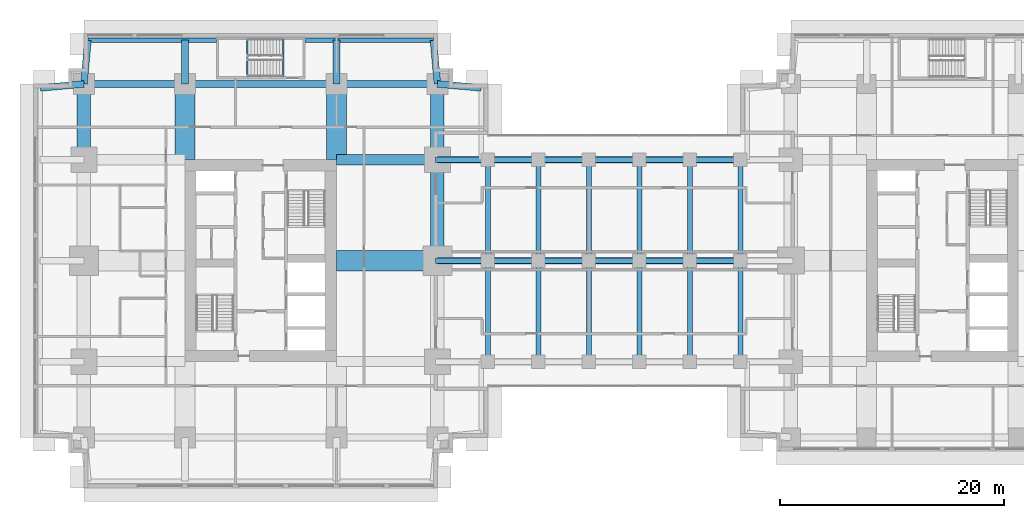
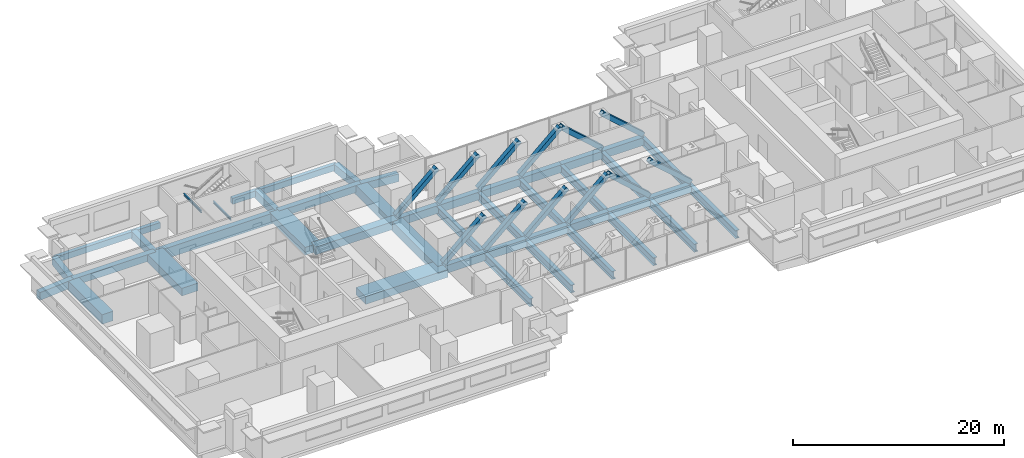
# One storey, part 3 of 16: 44 beams, 12 members.
"""IFC4 building model written with IfcOpenShell, lengths in metres."""

from ifc_helpers import new_model, si_unit, direction, frame, origin, origin_2d, place, context, subcontext, project, spatial, rectangle, hollow_rectangle, i_section, extrude, material, material_profile, profile_set, type_object, element, save


model = new_model("IFC4")

# Units and contexts
model_context = context("Model", 3, precision=1e-05, world=origin(), true_north=direction((0.0, 1.0)))
body_context = subcontext(model_context, "Body", "Model", "MODEL_VIEW")
ifc_project = project(units=[si_unit("LENGTHUNIT", "METRE"), si_unit("AREAUNIT", "SQUARE_METRE"), si_unit("VOLUMEUNIT", "CUBIC_METRE"), si_unit("PLANEANGLEUNIT", "RADIAN"), si_unit("MASSUNIT", "GRAM", prefix="KILO")], contexts=[model_context])

# Site, building, storey
site_placement = place(None, origin())
site = spatial("IfcSite", under=ifc_project, at=site_placement, CompositionType="ELEMENT")
building_placement = place(site_placement, origin())
building = spatial("IfcBuilding", under=site, at=building_placement, Name="Namib Vertical Campus", CompositionType="ELEMENT")
storey_placement = place(building_placement, frame((0.0, 0.0, 117.0)))
storey = spatial("IfcBuildingStorey", under=building, at=storey_placement, Name="L27", CompositionType="ELEMENT", Elevation=117.0)

# Members
ifc_material_1 = material(Name="Steel S355JR", Category="steel")
ifc_material_profile_1 = material_profile(ifc_material_1, hollow_rectangle(XDim=0.5, YDim=0.5, WallThickness=0.031982421875, at=origin_2d()))
ifc_profile_set_1 = profile_set([ifc_material_profile_1], Name="Steel S355JR")
member_type = type_object("IfcMemberType", Name="Bridge end brace WB 500x500x32", PredefinedType="BRACE", material=ifc_profile_set_1)
for number, where, z_axis, x_axis, name in (
    (1, (36.0, 20.25, 0.0), (0.747409318684, 0.0, 0.66436383883), (0.0, 1.0, 0.0), "Bridge brace BX1 L27 T2 bay 1"),
    (2, (40.5, 20.25, 0.0), (0.747409318684, 0.0, 0.66436383883), (0.0, 1.0, 0.0), "Bridge brace BX1 L27 T2 bay 2"),
    (3, (45.0, 20.25, 0.0), (0.747409318684, 0.0, 0.66436383883), (0.0, 1.0, 0.0), "Bridge brace BX1 L27 T2 bay 3"),
    (4, (49.5, 20.25, 0.0), (0.747409318684, 0.0, 0.66436383883), (0.0, 1.0, 0.0), "Bridge brace BX1 L27 T2 bay 4"),
    (5, (58.5, 20.25, 0.0), (-0.747409318684, 0.0, 0.66436383883), (0.0, -1.0, 0.0), "Bridge brace BX1 L27 T2 bay 5"),
    (6, (63.0, 20.25, 0.0), (-0.747409318684, 0.0, 0.66436383883), (0.0, -1.0, 0.0), "Bridge brace BX1 L27 T2 bay 6"),
    (7, (36.0, 29.25, 0.0), (0.747409318684, 0.0, 0.66436383883), (0.0, 1.0, 0.0), "Bridge brace BX1 L27 T3 bay 1"),
    (8, (40.5, 29.25, 0.0), (0.747409318684, 0.0, 0.66436383883), (0.0, 1.0, 0.0), "Bridge brace BX1 L27 T3 bay 2"),
    (9, (45.0, 29.25, 0.0), (0.747409318684, 0.0, 0.66436383883), (0.0, 1.0, 0.0), "Bridge brace BX1 L27 T3 bay 3"),
    (10, (49.5, 29.25, 0.0), (0.747409318684, 0.0, 0.66436383883), (0.0, 1.0, 0.0), "Bridge brace BX1 L27 T3 bay 4"),
    (11, (58.5, 29.25, 0.0), (-0.747409318684, 0.0, 0.66436383883), (0.0, -1.0, 0.0), "Bridge brace BX1 L27 T3 bay 5"),
    (12, (63.0, 29.25, 0.0), (-0.747409318684, 0.0, 0.66436383883), (0.0, -1.0, 0.0), "Bridge brace BX1 L27 T3 bay 6"),
):
    element("IfcMember", number, at=place(storey_placement, frame(where, z_axis=z_axis, x_axis=x_axis)), inside=storey, type_object=member_type, Name=name, PredefinedType="BRACE", context=body_context, shape_type="SweptSolid", body=[
        extrude(hollow_rectangle(XDim=0.5, YDim=0.5, WallThickness=0.031982421875, at=origin_2d()), origin(), (0.0, 0.0, 1.0), 6.020751953125),
    ])

# Beams
ifc_material_2 = material(Name="Steel S355JR", Category="steel")
ifc_material_profile_2 = material_profile(ifc_material_2, i_section(OverallWidth=0.42041015625, OverallDepth=0.92041015625, WebThickness=0.021484375, FlangeThickness=0.03662109375, FilletRadius=0.024169921875, at=origin_2d()))
ifc_profile_set_2 = profile_set([ifc_material_profile_2], Name="Steel S355JR")
beam_type_1 = type_object("IfcBeamType", Name="Bridge floor beam UB 914x419x388", PredefinedType="BEAM", material=ifc_profile_set_2)
for number, where, z_axis, x_axis, name in (
    (13, (40.5, 11.25, -0.710205078125), (0.0, 1.0, 0.0), (-1.0, 0.0, 0.0), "Bridge beam BB1 L27"),
    (14, (40.5, 20.25, -0.710205078125), (0.0, 1.0, 0.0), (-1.0, 0.0, 0.0), "Bridge beam BB1 L27"),
    (15, (45.0, 11.25, -0.710205078125), (0.0, 1.0, 0.0), (-1.0, 0.0, 0.0), "Bridge beam BB1 L27"),
    (16, (45.0, 20.25, -0.710205078125), (0.0, 1.0, 0.0), (-1.0, 0.0, 0.0), "Bridge beam BB1 L27"),
    (17, (49.5, 11.25, -0.710205078125), (0.0, 1.0, 0.0), (-1.0, 0.0, 0.0), "Bridge beam BB1 L27"),
    (18, (49.5, 20.25, -0.710205078125), (0.0, 1.0, 0.0), (-1.0, 0.0, 0.0), "Bridge beam BB1 L27"),
    (19, (54.0, 11.25, -0.710205078125), (0.0, 1.0, 0.0), (-1.0, 0.0, 0.0), "Bridge beam BB1 L27"),
    (20, (54.0, 20.25, -0.710205078125), (0.0, 1.0, 0.0), (-1.0, 0.0, 0.0), "Bridge beam BB1 L27"),
    (21, (58.5, 11.25, -0.710205078125), (0.0, 1.0, 0.0), (-1.0, 0.0, 0.0), "Bridge beam BB1 L27"),
    (22, (58.5, 20.25, -0.710205078125), (0.0, 1.0, 0.0), (-1.0, 0.0, 0.0), "Bridge beam BB1 L27"),
    (23, (63.0, 11.25, -0.710205078125), (0.0, 1.0, 0.0), (-1.0, 0.0, 0.0), "Bridge beam BB1 L27"),
    (24, (63.0, 20.25, -0.710205078125), (0.0, 1.0, 0.0), (-1.0, 0.0, 0.0), "Bridge beam BB1 L27"),
):
    element("IfcBeam", number, at=place(storey_placement, frame(where, z_axis=z_axis, x_axis=x_axis)), inside=storey, type_object=beam_type_1, Name=name, PredefinedType="BEAM", context=body_context, shape_type="SweptSolid", body=[
        extrude(i_section(OverallWidth=0.42041015625, OverallDepth=0.92041015625, WebThickness=0.021484375, FlangeThickness=0.03662109375, FilletRadius=0.024169921875, at=origin_2d()), origin(), (0.0, 0.0, 1.0), 9.0),
    ])
ifc_material_3 = material(Name="Steel S355JR", Category="steel")
ifc_material_profile_3 = material_profile(ifc_material_3, hollow_rectangle(XDim=0.60009765625, YDim=0.89990234375, WallThickness=0.050048828125, at=origin_2d()))
ifc_profile_set_3 = profile_set([ifc_material_profile_3], Name="Steel S355JR")
beam_type_2 = type_object("IfcBeamType", Name="Bridge girder WB 900x600x50", PredefinedType="BEAM", material=ifc_profile_set_3)
for number, where, z_axis, x_axis, name in (
    (25, (36.0, 20.25, -0.699951171875), (1.0, 0.0, 0.0), (0.0, 1.0, 0.0), "Bridge girder BG1 L27"),
    (26, (40.5, 20.25, -0.699951171875), (1.0, 0.0, 0.0), (0.0, 1.0, 0.0), "Bridge girder BG1 L27"),
    (27, (45.0, 20.25, -0.699951171875), (1.0, 0.0, 0.0), (0.0, 1.0, 0.0), "Bridge girder BG1 L27"),
    (28, (49.5, 20.25, -0.699951171875), (1.0, 0.0, 0.0), (0.0, 1.0, 0.0), "Bridge girder BG1 L27"),
    (29, (54.0, 20.25, -0.699951171875), (1.0, 0.0, 0.0), (0.0, 1.0, 0.0), "Bridge girder BG1 L27"),
    (30, (58.5, 20.25, -0.699951171875), (1.0, 0.0, 0.0), (0.0, 1.0, 0.0), "Bridge girder BG1 L27"),
    (31, (36.0, 29.25, -0.699951171875), (1.0, 0.0, 0.0), (0.0, 1.0, 0.0), "Bridge girder BG1 L27"),
    (32, (40.5, 29.25, -0.699951171875), (1.0, 0.0, 0.0), (0.0, 1.0, 0.0), "Bridge girder BG1 L27"),
    (33, (45.0, 29.25, -0.699951171875), (1.0, 0.0, 0.0), (0.0, 1.0, 0.0), "Bridge girder BG1 L27"),
    (34, (49.5, 29.25, -0.699951171875), (1.0, 0.0, 0.0), (0.0, 1.0, 0.0), "Bridge girder BG1 L27"),
    (35, (54.0, 29.25, -0.699951171875), (1.0, 0.0, 0.0), (0.0, 1.0, 0.0), "Bridge girder BG1 L27"),
    (36, (58.5, 29.25, -0.699951171875), (1.0, 0.0, 0.0), (0.0, 1.0, 0.0), "Bridge girder BG1 L27"),
):
    element("IfcBeam", number, at=place(storey_placement, frame(where, z_axis=z_axis, x_axis=x_axis)), inside=storey, type_object=beam_type_2, Name=name, PredefinedType="BEAM", context=body_context, shape_type="SweptSolid", body=[
        extrude(hollow_rectangle(XDim=0.60009765625, YDim=0.89990234375, WallThickness=0.050048828125, at=origin_2d()), origin(), (0.0, 0.0, 1.0), 4.5),
    ])
ifc_material_4 = material(Name="Concrete C40/50", Category="concrete")
ifc_material_profile_4 = material_profile(ifc_material_4, rectangle(XDim=0.60009765625, YDim=0.89990234375, at=origin_2d()))
ifc_profile_set_4 = profile_set([ifc_material_profile_4], Name="Concrete C40/50")
beam_type_3 = type_object("IfcBeamType", Name="Cantilever girder RC 600x900", PredefinedType="BEAM", material=ifc_profile_set_4)
beam_1_placement = place(storey_placement, frame((4.5, 36.0, -0.699951171875), z_axis=(0.089411326146, 0.995994786511, 0.0), x_axis=(-0.995994786511, 0.089411326146, 0.0)))
element("IfcBeam", 37, at=beam_1_placement, inside=storey, type_object=beam_type_3, Name="Beam B3 L27", PredefinedType="BEAM", context=body_context, shape_type="SweptSolid", body=[
    extrude(rectangle(XDim=0.60009765625, YDim=0.89990234375, at=origin_2d()), origin(), (0.0, 0.0, 1.0), 3.91552734375),
])
for number, where, z_axis, x_axis, name in (
    (38, (13.5, 36.0, -0.699951171875), (0.0, 1.0, 0.0), (-1.0, 0.0, 0.0), "Beam B3 L27"),
    (39, (27.0, 36.0, -0.699951171875), (0.0, 1.0, 0.0), (-1.0, 0.0, 0.0), "Beam B3 L27"),
):
    element("IfcBeam", number, at=place(storey_placement, frame(where, z_axis=z_axis, x_axis=x_axis)), inside=storey, type_object=beam_type_3, Name=name, PredefinedType="BEAM", context=body_context, shape_type="SweptSolid", body=[
        extrude(rectangle(XDim=0.60009765625, YDim=0.89990234375, at=origin_2d()), origin(), (0.0, 0.0, 1.0), 3.89990234375),
    ])
for number, where, z_axis, x_axis, name in (
    (40, (36.0, 36.0, -0.699951171875), (-0.089411326146, 0.995994786511, 0.0), (-0.995994786511, -0.089411326146, 0.0), "Beam B3 L27"),
    (41, (4.5, 36.0, -0.699951171875), (-0.995994786511, -0.089411326146, 0.0), (0.089411326146, -0.995994786511, 0.0), "Beam B3 L27"),
    (42, (36.0, 36.0, -0.699951171875), (0.995994786511, -0.089411326146, 0.0), (0.089411326146, 0.995994786511, 0.0), "Beam B3 L27"),
):
    element("IfcBeam", number, at=place(storey_placement, frame(where, z_axis=z_axis, x_axis=x_axis)), inside=storey, type_object=beam_type_3, Name=name, PredefinedType="BEAM", context=body_context, shape_type="SweptSolid", body=[
        extrude(rectangle(XDim=0.60009765625, YDim=0.89990234375, at=origin_2d()), origin(), (0.0, 0.0, 1.0), 3.91552734375),
    ])
ifc_material_5 = material(Name="Concrete C40/50", Category="concrete")
ifc_material_profile_5 = material_profile(ifc_material_5, rectangle(XDim=0.39990234375, YDim=0.699951171875, at=origin_2d()))
ifc_profile_set_5 = profile_set([ifc_material_profile_5], Name="Concrete C40/50")
beam_type_4 = type_object("IfcBeamType", Name="Edge beam RC 400x700", PredefinedType="SPANDREL", material=ifc_profile_set_5)
for number, where, z_axis, x_axis, name in (
    (43, (4.85009765625, 39.89990234375, -0.60009765625), (1.0, 0.0, 0.0), (0.0, 1.0, 0.0), "Beam B4 L27"),
    (44, (24.199951171875, 39.89990234375, -0.60009765625), (1.0, 0.0, 0.0), (0.0, 1.0, 0.0), "Beam B4 L27"),
):
    element("IfcBeam", number, at=place(storey_placement, frame(where, z_axis=z_axis, x_axis=x_axis)), inside=storey, type_object=beam_type_4, Name=name, PredefinedType="SPANDREL", context=body_context, shape_type="SweptSolid", body=[
        extrude(rectangle(XDim=0.39990234375, YDim=0.699951171875, at=origin_2d()), origin(), (0.0, 0.0, 1.0), 11.449951171875),
    ])
ifc_material_6 = material(Name="Concrete C40/50", Category="concrete")
ifc_material_profile_6 = material_profile(ifc_material_6, rectangle(XDim=0.89990234375, YDim=0.89990234375, at=origin_2d()))
ifc_profile_set_6 = profile_set([ifc_material_profile_6], Name="Concrete C40/50")
beam_type_5 = type_object("IfcBeamType", Name="Face girder RC 900x900", PredefinedType="BEAM", material=ifc_profile_set_6)
beam_2_placement = place(storey_placement, frame((36.0, 29.25, -0.699951171875), z_axis=(-1.0, 0.0, 0.0), x_axis=(0.0, -1.0, 0.0)))
element("IfcBeam", 45, at=beam_2_placement, inside=storey, type_object=beam_type_5, Name="Beam B10 L27", PredefinedType="BEAM", context=body_context, shape_type="SweptSolid", body=[
    extrude(rectangle(XDim=0.89990234375, YDim=0.89990234375, at=origin_2d()), origin(), (0.0, 0.0, 1.0), 9.0),
])
ifc_material_7 = material(Name="Concrete C40/50", Category="concrete")
ifc_material_profile_7 = material_profile(ifc_material_7, rectangle(XDim=1.199951171875, YDim=1.10009765625, at=origin_2d()))
ifc_profile_set_7 = profile_set([ifc_material_profile_7], Name="Concrete C40/50")
beam_type_6 = type_object("IfcBeamType", Name="Face ring beam RC 1200x1100", PredefinedType="BEAM", material=ifc_profile_set_7)
beam_3_placement = place(storey_placement, frame((4.5, 29.25, -0.800048828125), z_axis=(0.0, 1.0, 0.0), x_axis=(-1.0, 0.0, 0.0)))
element("IfcBeam", 46, at=beam_3_placement, inside=storey, type_object=beam_type_6, Name="Beam B11 L27", PredefinedType="BEAM", context=body_context, shape_type="SweptSolid", body=[
    extrude(rectangle(XDim=1.199951171875, YDim=1.10009765625, at=origin_2d()), origin(), (0.0, 0.0, 1.0), 6.75),
])
beam_4_placement = place(storey_placement, frame((36.0, 20.25, -0.800048828125), z_axis=(0.0, 1.0, 0.0), x_axis=(-1.0, 0.0, 0.0)))
element("IfcBeam", 47, at=beam_4_placement, inside=storey, type_object=beam_type_6, Name="Beam B11 L27", PredefinedType="BEAM", context=body_context, shape_type="SweptSolid", body=[
    extrude(rectangle(XDim=1.199951171875, YDim=1.10009765625, at=origin_2d()), origin(), (0.0, 0.0, 1.0), 9.0),
])
beam_5_placement = place(storey_placement, frame((36.0, 29.25, -0.800048828125), z_axis=(0.0, 1.0, 0.0), x_axis=(-1.0, 0.0, 0.0)))
element("IfcBeam", 48, at=beam_5_placement, inside=storey, type_object=beam_type_6, Name="Beam B11 L27", PredefinedType="BEAM", context=body_context, shape_type="SweptSolid", body=[
    extrude(rectangle(XDim=1.199951171875, YDim=1.10009765625, at=origin_2d()), origin(), (0.0, 0.0, 1.0), 6.75),
])
ifc_material_8 = material(Name="Steel S355JR", Category="steel")
ifc_material_profile_8 = material_profile(ifc_material_8, i_section(OverallWidth=0.14599609375, OverallDepth=0.25146484375, WebThickness=0.006103515625, FlangeThickness=0.008544921875, FilletRadius=0.007568359375, at=origin_2d()))
ifc_profile_set_8 = profile_set([ifc_material_profile_8], Name="Steel S355JR")
beam_type_7 = type_object("IfcBeamType", Name="Landing trimmer UB 254x146x31", PredefinedType="BEAM", material=ifc_profile_set_8)
for number, where, z_axis, x_axis, name in (
    (49, (22.27294921875, 36.64990234375, -0.125732421875), (0.0, 1.0, 0.0), (-1.0, 0.0, 0.0), "Landing trimmer LT1 A-S3 L27 1"),
    (50, (19.046875, 36.64990234375, 1.874267578125), (0.0, 1.0, 0.0), (-1.0, 0.0, 0.0), "Landing trimmer LT1 A-S3 L27 2"),
):
    element("IfcBeam", number, at=place(storey_placement, frame(where, z_axis=z_axis, x_axis=x_axis)), inside=storey, type_object=beam_type_7, Name=name, PredefinedType="BEAM", context=body_context, shape_type="SweptSolid", body=[
        extrude(i_section(OverallWidth=0.14599609375, OverallDepth=0.25146484375, WebThickness=0.006103515625, FlangeThickness=0.008544921875, FilletRadius=0.007568359375, at=origin_2d()), origin(), (0.0, 0.0, 1.0), 3.35009765625),
    ])
ifc_material_9 = material(Name="Concrete C40/50", Category="concrete")
ifc_material_profile_9 = material_profile(ifc_material_9, rectangle(XDim=0.60009765625, YDim=1.199951171875, at=origin_2d()))
ifc_profile_set_9 = profile_set([ifc_material_profile_9], Name="Concrete C40/50")
beam_type_8 = type_object("IfcBeamType", Name="Long-span ring beam RC 600x1200", PredefinedType="BEAM", material=ifc_profile_set_9)
beam_6_placement = place(storey_placement, frame((13.5, 36.0, -0.85009765625), z_axis=(1.0, 0.0, 0.0), x_axis=(0.0, 1.0, 0.0)))
element("IfcBeam", 51, at=beam_6_placement, inside=storey, type_object=beam_type_8, Name="Beam B9 L27", PredefinedType="BEAM", context=body_context, shape_type="SweptSolid", body=[
    extrude(rectangle(XDim=0.60009765625, YDim=1.199951171875, at=origin_2d()), origin(), (0.0, 0.0, 1.0), 13.5),
])
ifc_material_10 = material(Name="Concrete C40/50", Category="concrete")
ifc_material_profile_10 = material_profile(ifc_material_10, rectangle(XDim=1.800048828125, YDim=0.89990234375, at=origin_2d()))
ifc_profile_set_10 = profile_set([ifc_material_profile_10], Name="Concrete C40/50")
beam_type_9 = type_object("IfcBeamType", Name="Outrigger line girder RC 1800x900", PredefinedType="BEAM", material=ifc_profile_set_10)
for number, where, z_axis, x_axis, name in (
    (52, (13.5, 36.0, -0.699951171875), (0.0, -1.0, 0.0), (1.0, 0.0, 0.0), "Beam B12 L27"),
    (53, (27.0, 36.0, -0.699951171875), (0.0, -1.0, 0.0), (1.0, 0.0, 0.0), "Beam B12 L27"),
):
    element("IfcBeam", number, at=place(storey_placement, frame(where, z_axis=z_axis, x_axis=x_axis)), inside=storey, type_object=beam_type_9, Name=name, PredefinedType="BEAM", context=body_context, shape_type="SweptSolid", body=[
        extrude(rectangle(XDim=1.800048828125, YDim=0.89990234375, at=origin_2d()), origin(), (0.0, 0.0, 1.0), 6.75),
    ])
beam_7_placement = place(storey_placement, frame((36.0, 20.25, -0.699951171875), z_axis=(-1.0, 0.0, 0.0), x_axis=(0.0, -1.0, 0.0)))
element("IfcBeam", 54, at=beam_7_placement, inside=storey, type_object=beam_type_9, Name="Beam B12 L27", PredefinedType="BEAM", context=body_context, shape_type="SweptSolid", body=[
    extrude(rectangle(XDim=1.800048828125, YDim=0.89990234375, at=origin_2d()), origin(), (0.0, 0.0, 1.0), 9.0),
])
ifc_material_11 = material(Name="Concrete C40/50", Category="concrete")
ifc_material_profile_11 = material_profile(ifc_material_11, rectangle(XDim=0.60009765625, YDim=0.800048828125, at=origin_2d()))
ifc_profile_set_11 = profile_set([ifc_material_profile_11], Name="Concrete C40/50")
beam_type_10 = type_object("IfcBeamType", Name="Ring beam RC 600x800", PredefinedType="BEAM", material=ifc_profile_set_11)
for number, where, z_axis, x_axis, name in (
    (55, (4.5, 36.0, -0.64990234375), (1.0, 0.0, 0.0), (0.0, 1.0, 0.0), "Beam B1 L27"),
    (56, (27.0, 36.0, -0.64990234375), (1.0, 0.0, 0.0), (0.0, 1.0, 0.0), "Beam B1 L27"),
):
    element("IfcBeam", number, at=place(storey_placement, frame(where, z_axis=z_axis, x_axis=x_axis)), inside=storey, type_object=beam_type_10, Name=name, PredefinedType="BEAM", context=body_context, shape_type="SweptSolid", body=[
        extrude(rectangle(XDim=0.60009765625, YDim=0.800048828125, at=origin_2d()), origin(), (0.0, 0.0, 1.0), 9.0),
    ])

save(model, "model.ifc")
